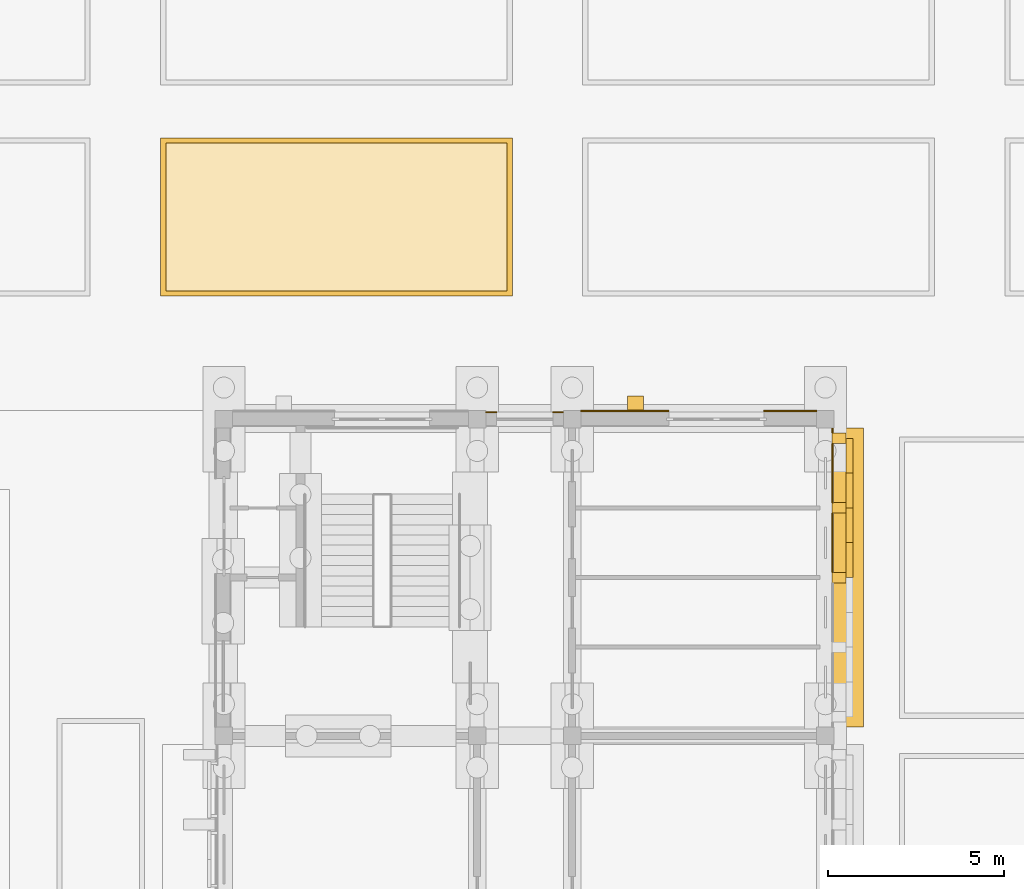
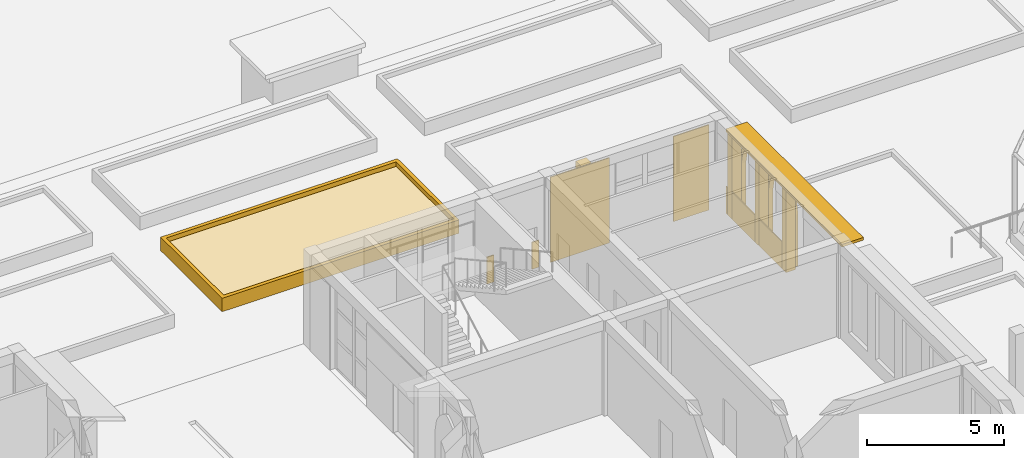
# One storey, part 145 of 161: 15 coverings, 1 shading device.
"""IFC4 building model written with IfcOpenShell, lengths in metres."""

from ifc_helpers import new_model, si_unit, direction, frame, origin, origin_2d, place, context, subcontext, project, spatial, polyline, rectangle, outline, extrude, material, layer, layer_set, type_object, element, save


model = new_model("IFC4")

# Units and contexts
model_context = context("Model", 3, precision=1e-05, world=origin(), true_north=direction((0.0, 1.0)))
body_context = subcontext(model_context, "Body", "Model", "MODEL_VIEW")
ifc_project = project(units=[si_unit("LENGTHUNIT", "METRE"), si_unit("AREAUNIT", "SQUARE_METRE"), si_unit("VOLUMEUNIT", "CUBIC_METRE"), si_unit("PLANEANGLEUNIT", "RADIAN"), si_unit("MASSUNIT", "GRAM", prefix="KILO")], contexts=[model_context])

# Site, building, storey
site_placement = place(None, origin())
site = spatial("IfcSite", under=ifc_project, at=site_placement, CompositionType="ELEMENT")
building_placement = place(site_placement, origin())
building = spatial("IfcBuilding", under=site, at=building_placement, Name="Elbe Cascade School", CompositionType="ELEMENT")
storey_placement = place(building_placement, origin())
storey = spatial("IfcBuildingStorey", under=building, at=storey_placement, Name="L00", CompositionType="ELEMENT", Elevation=0.0)

# Shading device
ifc_material_1 = material(Name="Precast concrete C30/37", Category="concrete")
ifc_layer_1 = layer(ifc_material_1, 0.1201171875)
ifc_layer_set_1 = layer_set([ifc_layer_1], Name="Precast concrete C30/37")
shading_device_type = type_object("IfcShadingDeviceType", Name="Bars envelope Chhajja eave, precast concrete, 900 x 120", PredefinedType="USERDEFINED", material=ifc_layer_set_1)
shading_device_placement = place(storey_placement, frame((175.530029296875, 55.5, 3.6298828125), z_axis=(0.0, 0.0, 1.0), x_axis=(0.0, 1.0, 0.0)))
element("IfcShadingDevice", 1, at=shading_device_placement, inside=storey, type_object=shading_device_type, Name="Chhajja eave SD2 D.L00.e6", ObjectType="CHHAJJA", PredefinedType="USERDEFINED", context=body_context, shape_type="SweptSolid", body=[
    extrude(rectangle(XDim=8.5, YDim=0.89990234375, at=origin_2d()), origin(), (0.0, 0.0, 1.0), 0.1201171875),
])

# Coverings
ifc_material_2 = material(Name="Precast concrete C40/50", Category="concrete")
covering_type_1 = type_object("IfcCoveringType", Name="Bars envelope Precast concrete fin, 300 wide, 400 deep", PredefinedType="CLADDING", material=ifc_material_2)
for number, where, z_axis, x_axis, name in (
    (2, (175.280029296875, 55.5, 0.0), (0.0, 0.0, 1.0), (0.0, 1.0, 0.0), "Fin CV67 D.L00.e6.3"),
    (3, (175.280029296875, 57.47998046875, 0.0), (0.0, 0.0, 1.0), (0.0, 1.0, 0.0), "Fin CV67 D.L00.e6.4"),
    (4, (175.280029296875, 59.4599609375, 0.0), (0.0, 0.0, 1.0), (0.0, 1.0, 0.0), "Fin CV67 D.L00.e6.5"),
):
    element("IfcCovering", number, at=place(storey_placement, frame(where, z_axis=z_axis, x_axis=x_axis)), inside=storey, type_object=covering_type_1, Name=name, PredefinedType="CLADDING", context=body_context, shape_type="SweptSolid", body=[
        extrude(rectangle(XDim=0.300048828125, YDim=0.39990234375, at=origin_2d()), origin(), (0.0, 0.0, 1.0), 3.6298828125),
    ])
ifc_material_3 = material(Name="Precast concrete C40/50", Category="concrete")
covering_type_2 = type_object("IfcCoveringType", Name="Bars envelope Precast concrete gable fin, 450 wide, 400 deep", PredefinedType="CLADDING", material=ifc_material_3)
covering_1_placement = place(storey_placement, frame((169.5, 60.4599609375, 0.0), z_axis=(0.0, 0.0, 1.0), x_axis=(1.0, 0.0, 0.0)))
element("IfcCovering", 5, at=covering_1_placement, inside=storey, type_object=covering_type_2, Name="Fin CV69 D.L00.n.2", PredefinedType="CLADDING", context=body_context, shape_type="SweptSolid", body=[
    extrude(rectangle(XDim=0.449951171875, YDim=0.39990234375, at=origin_2d()), origin(), (0.0, 0.0, 1.0), 3.800048828125),
])
ifc_material_4 = material(Name="Sandstone - red", Category="masonry")
ifc_layer_2 = layer(ifc_material_4, 0.0400390625)
ifc_layer_set_2 = layer_set([ifc_layer_2], Name="Sandstone - red")
covering_type_3 = type_object("IfcCoveringType", Name="Bars envelope Sandstone cladding, red, 40 mm", PredefinedType="CLADDING", material=ifc_layer_set_2)
for number, where, z_axis, x_axis, name in (
    (6, (175.10009765625, 56.489990234375, 0.0), (0.0, 0.0, 1.0), (0.0, 1.0, 0.0), "Sandstone cladding CV48 D.L00.e.6.4"),
    (7, (175.10009765625, 58.469970703125, 0.0), (0.0, 0.0, 1.0), (0.0, 1.0, 0.0), "Sandstone cladding CV48 D.L00.e.6.5"),
):
    element("IfcCovering", number, at=place(storey_placement, frame(where, z_axis=z_axis, x_axis=x_axis)), inside=storey, type_object=covering_type_3, Name=name, PredefinedType="CLADDING", context=body_context, shape_type="SweptSolid", body=[
        extrude(rectangle(XDim=1.679931640625, YDim=0.0400390625, at=origin_2d()), origin(), (0.0, 0.0, 1.0), 1.199951171875),
    ])
covering_2_placement = place(storey_placement, frame((175.10009765625, 59.679931640625, 0.0), z_axis=(0.0, 0.0, 1.0), x_axis=(0.0, 1.0, 0.0)))
element("IfcCovering", 8, at=covering_2_placement, inside=storey, type_object=covering_type_3, Name="Sandstone cladding CV48 D.L00.e.6.6", PredefinedType="CLADDING", context=body_context, shape_type="SweptSolid", body=[
    extrude(rectangle(XDim=0.139892578125, YDim=0.0400390625, at=origin_2d()), origin(), (0.0, 0.0, 1.0), 1.199951171875),
])
for number, where, z_axis, x_axis, name in (
    (9, (165.39990234375, 60.199951171875, 0.0), (0.0, 0.0, 1.0), (1.0, 0.0, 0.0), "Sandstone cladding CV48 D.L00.n.2.1"),
    (10, (167.300048828125, 60.199951171875, 0.0), (0.0, 0.0, 1.0), (1.0, 0.0, 0.0), "Sandstone cladding CV48 D.L00.n.2.2"),
):
    element("IfcCovering", number, at=place(storey_placement, frame(where, z_axis=z_axis, x_axis=x_axis)), inside=storey, type_object=covering_type_3, Name=name, PredefinedType="CLADDING", context=body_context, shape_type="SweptSolid", body=[
        extrude(rectangle(XDim=0.300048828125, YDim=0.0400390625, at=origin_2d()), origin(), (0.0, 0.0, 1.0), 1.199951171875),
    ])
covering_3_placement = place(storey_placement, frame((169.199951171875, 60.239990234375, 0.0), z_axis=(0.0, 0.0, 1.0), x_axis=(1.0, 0.0, 0.0)))
element("IfcCovering", 11, at=covering_3_placement, inside=storey, type_object=covering_type_3, Name="Sandstone cladding CV48 D.L00.n.3a.1", PredefinedType="CLADDING", context=body_context, shape_type="SweptSolid", body=[
    extrude(rectangle(XDim=2.5, YDim=0.0400390625, at=origin_2d()), origin(), (0.0, 0.0, 1.0), 3.800048828125),
])
covering_4_placement = place(storey_placement, frame((173.89990234375, 60.239990234375, 0.0), z_axis=(0.0, 0.0, 1.0), x_axis=(1.0, 0.0, 0.0)))
element("IfcCovering", 12, at=covering_4_placement, inside=storey, type_object=covering_type_3, Name="Sandstone cladding CV48 D.L00.n.3b.1", PredefinedType="CLADDING", context=body_context, shape_type="SweptSolid", body=[
    extrude(rectangle(XDim=1.5, YDim=0.0400390625, at=origin_2d()), origin(), (0.0, 0.0, 1.0), 3.800048828125),
])
ifc_material_5 = material(Name="Sandstone - red", Category="masonry")
covering_type_4 = type_object("IfcCoveringType", Name="Bars envelope Sandstone pointed arch band, 1980 wide, 200 deep", PredefinedType="CLADDING", material=ifc_material_5)
covering_5_placement = place(storey_placement, frame((175.679931640625, 55.64990234375, 0.0), z_axis=(1.0, 0.0, 0.0), x_axis=(0.0, 0.0, 1.0)))
element("IfcCovering", 13, at=covering_5_placement, inside=storey, type_object=covering_type_4, Name="Arcade arch CV68 D.L00.e6.3", PredefinedType="CLADDING", context=body_context, shape_type="SweptSolid", body=[
    extrude(outline(polyline([(0.0, 0.0), (2.330078125, 0.0), (2.822509765625, -0.10498046875), (3.010498046875, -0.210205078125), (3.143310546875, -0.315185546875), (3.2451171875, -0.420166015625), (3.325927734375, -0.525146484375), (3.390380859375, -0.630126953125), (3.44091796875, -0.735107421875), (3.47998046875, -0.840087890625), (3.44091796875, -0.945068359375), (3.390380859375, -1.050048828125), (3.325927734375, -1.155029296875), (3.2451171875, -1.260009765625), (3.143310546875, -1.364990234375), (3.010498046875, -1.47021484375), (2.822509765625, -1.5751953125), (2.330078125, -1.68017578125), (0.0, -1.68017578125), (0.0, -1.830078125), (2.330078125, -1.830078125), (2.894287109375, -1.706298828125), (3.108642578125, -1.58251953125), (3.25927734375, -1.458740234375), (3.3740234375, -1.335205078125), (3.464111328125, -1.211181640625), (3.53466796875, -1.087646484375), (3.58935546875, -0.9638671875), (3.6298828125, -0.840087890625), (3.58935546875, -0.71630859375), (3.53466796875, -0.592529296875), (3.464111328125, -0.46875), (3.3740234375, -0.34521484375), (3.25927734375, -0.22119140625), (3.108642578125, -0.09765625), (2.894287109375, 0.026123046875), (2.330078125, 0.14990234375), (0.0, 0.14990234375), (0.0, 0.0)])), origin(), (0.0, 0.0, -1.0), 0.199951171875),
])
covering_6_placement = place(storey_placement, frame((175.679931640625, 57.6298828125, 0.0), z_axis=(1.0, 0.0, 0.0), x_axis=(0.0, 0.0, 1.0)))
element("IfcCovering", 14, at=covering_6_placement, inside=storey, type_object=covering_type_4, Name="Arcade arch CV68 D.L00.e6.4", PredefinedType="CLADDING", context=body_context, shape_type="SweptSolid", body=[
    extrude(outline(polyline([(0.0, 0.0), (2.330078125, 0.0), (2.822509765625, -0.105224609375), (3.010498046875, -0.210205078125), (3.143310546875, -0.315185546875), (3.2451171875, -0.420166015625), (3.325927734375, -0.525146484375), (3.390380859375, -0.630126953125), (3.44091796875, -0.735107421875), (3.47998046875, -0.840087890625), (3.44091796875, -0.945068359375), (3.390380859375, -1.050048828125), (3.325927734375, -1.155029296875), (3.2451171875, -1.260009765625), (3.143310546875, -1.365234375), (3.010498046875, -1.47021484375), (2.822509765625, -1.5751953125), (2.330078125, -1.68017578125), (0.0, -1.68017578125), (0.0, -1.830078125), (2.330078125, -1.830078125), (2.894287109375, -1.706298828125), (3.108642578125, -1.58251953125), (3.25927734375, -1.458740234375), (3.3740234375, -1.335205078125), (3.464111328125, -1.21142578125), (3.53466796875, -1.087646484375), (3.58935546875, -0.9638671875), (3.6298828125, -0.840087890625), (3.58935546875, -0.71630859375), (3.53466796875, -0.592529296875), (3.464111328125, -0.468994140625), (3.3740234375, -0.34521484375), (3.25927734375, -0.221435546875), (3.108642578125, -0.09765625), (2.894287109375, 0.026123046875), (2.330078125, 0.14990234375), (0.0, 0.14990234375), (0.0, 0.0)])), origin(), (0.0, 0.0, -1.0), 0.199951171875),
])
ifc_material_6 = material(Name="Planting - soil and shrubs", Category="soil")
ifc_layer_3 = layer(ifc_material_6, 0.39990234375)
ifc_layer_set_3 = layer_set([ifc_layer_3], Name="Planting - soil and shrubs")
covering_type_5 = type_object("IfcCoveringType", Name="Site planting bed 400", PredefinedType="USERDEFINED", material=ifc_layer_set_3)
covering_7_placement = place(storey_placement, origin())
element("IfcCovering", 15, at=covering_7_placement, inside=storey, type_object=covering_type_5, Name="Deck planting bed north a.8", ObjectType="PLANTING BED", PredefinedType="USERDEFINED", context=body_context, shape_type="SweptSolid", body=[
    extrude(outline(polyline([(156.14990234375, 63.64990234375), (165.85009765625, 63.64990234375), (165.85009765625, 67.85009765625), (156.14990234375, 67.85009765625), (156.14990234375, 63.64990234375)])), origin(), (0.0, 0.0, 1.0), 0.39990234375),
])
ifc_material_7 = material(Name="Concrete C30/37 precast kerb", Category="concrete")
ifc_layer_4 = layer(ifc_material_7, 0.14990234375)
ifc_layer_set_4 = layer_set([ifc_layer_4], Name="Concrete C30/37 precast kerb")
covering_type_6 = type_object("IfcCoveringType", Name="Site planting bed kerb 150x600", PredefinedType="CLADDING", material=ifc_layer_set_4)
covering_8_placement = place(storey_placement, origin())
element("IfcCovering", 16, at=covering_8_placement, inside=storey, type_object=covering_type_6, Name="Deck planting bed kerb north a.8", PredefinedType="CLADDING", context=body_context, shape_type="SweptSolid", body=[
    extrude(outline(polyline([(156.0, 63.5), (166.0, 63.5), (166.0, 68.0), (156.0, 68.0), (156.0, 63.5)]), holes=[polyline([(156.14990234375, 63.64990234375), (165.85009765625, 63.64990234375), (165.85009765625, 67.85009765625), (156.14990234375, 67.85009765625), (156.14990234375, 63.64990234375)])]), origin(), (0.0, 0.0, 1.0), 0.60009765625),
])

save(model, "model.ifc")
